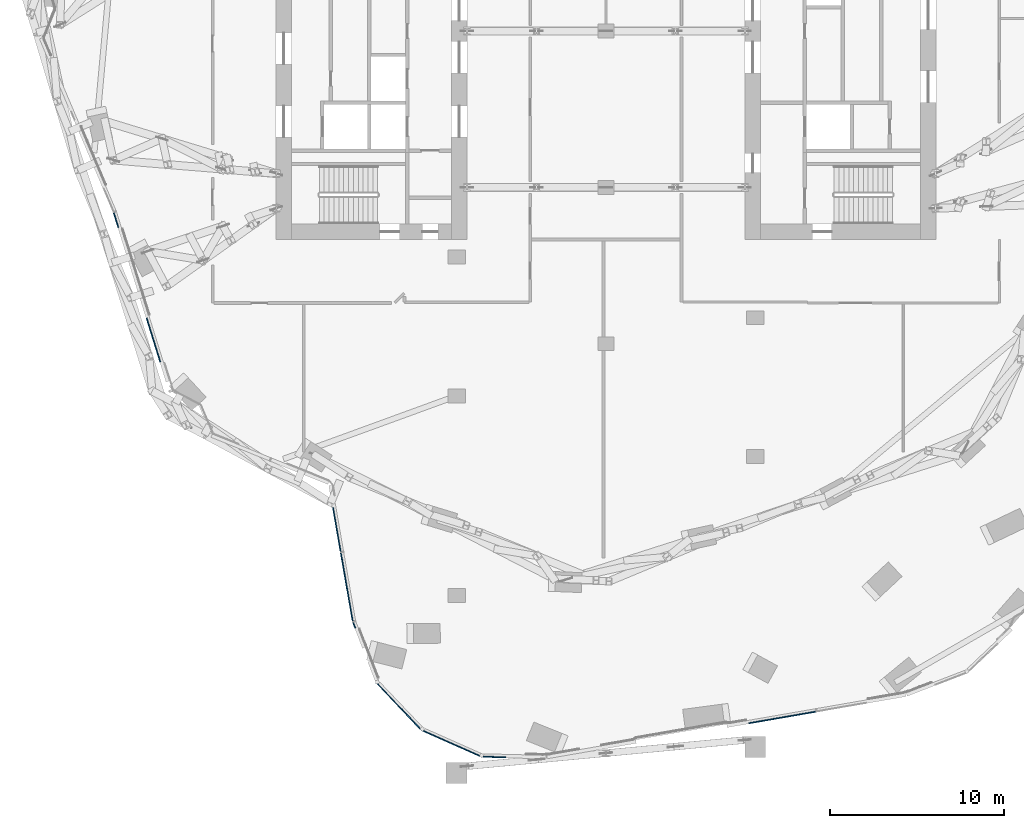
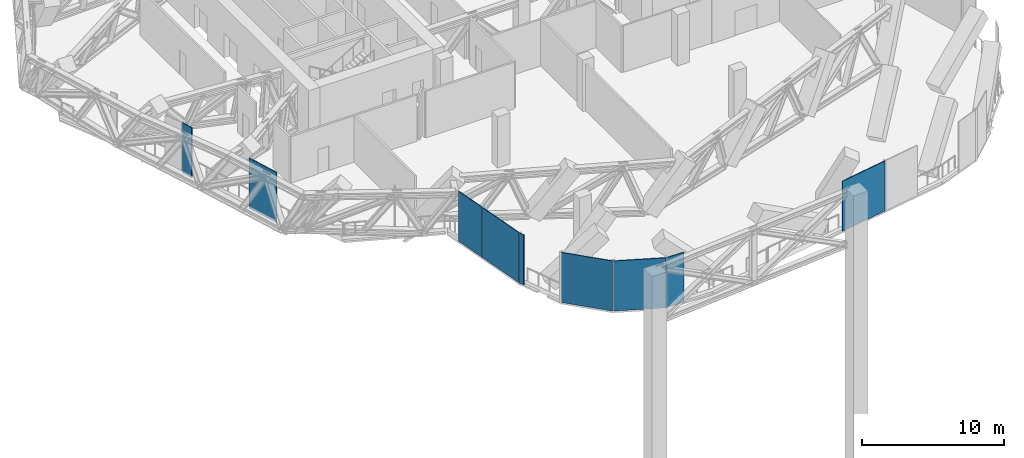
# One storey, part 17 of 31: 9 plates, 7 elements without a shape of their own.
"""IFC4 building model written with IfcOpenShell, lengths in metres."""

from ifc_helpers import new_model, si_unit, direction, frame, origin, origin_2d, place, context, subcontext, project, spatial, rectangle, extrude, material, layer, layer_set, type_object, element, aggregate, save


model = new_model("IFC4")

# Units and contexts
model_context = context("Model", 3, precision=1e-05, world=origin(), true_north=direction((0.0, 1.0)))
body_context = subcontext(model_context, "Body", "Model", "MODEL_VIEW")
ifc_project = project(units=[si_unit("LENGTHUNIT", "METRE"), si_unit("AREAUNIT", "SQUARE_METRE"), si_unit("VOLUMEUNIT", "CUBIC_METRE"), si_unit("PLANEANGLEUNIT", "RADIAN"), si_unit("MASSUNIT", "GRAM", prefix="KILO")], contexts=[model_context])

# Site, building, storey
site_placement = place(None, origin())
site = spatial("IfcSite", under=ifc_project, at=site_placement, CompositionType="ELEMENT")
building_placement = place(site_placement, origin())
building = spatial("IfcBuilding", under=site, at=building_placement, Name="Orlundy Tower", CompositionType="ELEMENT")
storey_placement = place(building_placement, frame((0.0, 0.0, 271.0)))
storey = spatial("IfcBuildingStorey", under=building, at=storey_placement, Name="L72", CompositionType="ELEMENT", Elevation=271.0)

# Curtain wall, plates
ifc_material_1 = material(Name="Aluminium bronze anodised", Category="aluminium")
curtain_wall_type = type_object("IfcCurtainWallType", Name="CW4 wall", PredefinedType="NOTDEFINED", material=ifc_material_1)
curtain_wall_1_placement = place(storey_placement, origin())
curtain_wall_1 = element("IfcCurtainWall", 1, at=curtain_wall_1_placement, inside=storey, type_object=curtain_wall_type, Name="CW4 run 03", PredefinedType="NOTDEFINED")
ifc_material_2 = material(Name="Louvre aluminium bronze anodised", Category="aluminium")
ifc_layer = layer(ifc_material_2, 0.06005859375)
ifc_layer_set = layer_set([ifc_layer], Name="CW4 louvre panel 60")
plate_type = type_object("IfcPlateType", Name="CW4 louvre panel 60", PredefinedType="CURTAIN_PANEL", material=ifc_layer_set)
plate_1_placement = place(storey_placement, frame((-26.0546875, -17.783203125, -0.2998046875), z_axis=(0.0, 0.0, 1.0), x_axis=(-0.297983431644, 0.954571042126, 0.0)))
plate_1 = element("IfcPlate", 2, at=plate_1_placement, type_object=plate_type, Name="CW4 louvre", PredefinedType="CURTAIN_PANEL", context=body_context, shape_type="SweptSolid", body=[
    extrude(rectangle(XDim=2.64599609375, YDim=0.06005859375, at=origin_2d()), origin(), (0.0, 0.0, 1.0), 4.300048828125),
])
plate_2_placement = place(storey_placement, frame((-28.21044921875, -10.877685546875, -0.2998046875), z_axis=(0.0, 0.0, 1.0), x_axis=(-0.297983431644, 0.954571042126, 0.0)))
plate_2 = element("IfcPlate", 3, at=plate_2_placement, type_object=plate_type, Name="CW4 louvre", PredefinedType="CURTAIN_PANEL", context=body_context, shape_type="SweptSolid", body=[
    extrude(rectangle(XDim=0.90185546875, YDim=0.06005859375, at=origin_2d()), origin(), (0.0, 0.0, 1.0), 4.300048828125),
])
aggregate(curtain_wall_1, [plate_1, plate_2])

# Curtain wall, plate
curtain_wall_2_placement = place(storey_placement, origin())
curtain_wall_2 = element("IfcCurtainWall", 4, at=curtain_wall_2_placement, inside=storey, type_object=curtain_wall_type, Name="CW4 run 040", PredefinedType="NOTDEFINED")
plate_3_placement = place(storey_placement, frame((10.16259765625, -39.514892578125, -0.2998046875), z_axis=(0.0, 0.0, 1.0), x_axis=(-0.985311546096, -0.170766381732, 0.0)))
plate_3 = element("IfcPlate", 5, at=plate_3_placement, type_object=plate_type, Name="CW4 louvre", PredefinedType="CURTAIN_PANEL", context=body_context, shape_type="SweptSolid", body=[
    extrude(rectangle(XDim=3.909912109375, YDim=0.06005859375, at=origin_2d()), origin(), (0.0, 0.0, 1.0), 4.300048828125),
])
aggregate(curtain_wall_2, [plate_3])

curtain_wall_3_placement = place(storey_placement, origin())
curtain_wall_3 = element("IfcCurtainWall", 6, at=curtain_wall_3_placement, inside=storey, type_object=curtain_wall_type, Name="CW4 run 041", PredefinedType="NOTDEFINED")
plate_4_placement = place(storey_placement, frame((-6.46435546875, -41.79345703125, -0.2998046875), z_axis=(0.0, 0.0, 1.0), x_axis=(-0.999698667743, 0.024547376896, 0.0)))
plate_4 = element("IfcPlate", 7, at=plate_4_placement, type_object=plate_type, Name="CW4 louvre", PredefinedType="CURTAIN_PANEL", context=body_context, shape_type="SweptSolid", body=[
    extrude(rectangle(XDim=1.417724609375, YDim=0.06005859375, at=origin_2d()), origin(), (0.0, 0.0, 1.0), 4.300048828125),
])
aggregate(curtain_wall_3, [plate_4])

curtain_wall_4_placement = place(storey_placement, origin())
curtain_wall_4 = element("IfcCurtainWall", 8, at=curtain_wall_4_placement, inside=storey, type_object=curtain_wall_type, Name="CW4 run 042", PredefinedType="NOTDEFINED")
plate_5_placement = place(storey_placement, frame((-8.89794921875, -41.010986328125, -0.2998046875), z_axis=(0.0, 0.0, 1.0), x_axis=(-0.914089480805, 0.405512541213, 0.0)))
plate_5 = element("IfcPlate", 9, at=plate_5_placement, type_object=plate_type, Name="CW4 louvre", PredefinedType="CURTAIN_PANEL", context=body_context, shape_type="SweptSolid", body=[
    extrude(rectangle(XDim=3.774169921875, YDim=0.06005859375, at=origin_2d()), origin(), (0.0, 0.0, 1.0), 4.300048828125),
])
aggregate(curtain_wall_4, [plate_5])

curtain_wall_5_placement = place(storey_placement, origin())
curtain_wall_5 = element("IfcCurtainWall", 10, at=curtain_wall_5_placement, inside=storey, type_object=curtain_wall_type, Name="CW4 run 043", PredefinedType="NOTDEFINED")
plate_6_placement = place(storey_placement, frame((-11.924072265625, -38.878662109375, -0.2998046875), z_axis=(0.0, 0.0, 1.0), x_axis=(-0.689493494749, 0.724291875351, 0.0)))
plate_6 = element("IfcPlate", 11, at=plate_6_placement, type_object=plate_type, Name="CW4 louvre", PredefinedType="CURTAIN_PANEL", context=body_context, shape_type="SweptSolid", body=[
    extrude(rectangle(XDim=3.774658203125, YDim=0.06005859375, at=origin_2d()), origin(), (0.0, 0.0, 1.0), 4.300048828125),
])
aggregate(curtain_wall_5, [plate_6])

curtain_wall_6_placement = place(storey_placement, origin())
curtain_wall_6 = element("IfcCurtainWall", 12, at=curtain_wall_6_placement, inside=storey, type_object=curtain_wall_type, Name="CW4 run 044", PredefinedType="NOTDEFINED")
plate_7_placement = place(storey_placement, frame((-14.501220703125, -34.201416015625, -0.2998046875), z_axis=(0.0, 0.0, 1.0), x_axis=(-0.359593615358, 0.933109013885, 0.0)))
plate_7 = element("IfcPlate", 13, at=plate_7_placement, type_object=plate_type, Name="CW4 louvre", PredefinedType="CURTAIN_PANEL", context=body_context, shape_type="SweptSolid", body=[
    extrude(rectangle(XDim=0.359619140625, YDim=0.06005859375, at=origin_2d()), origin(), (0.0, 0.0, 1.0), 4.300048828125),
])
aggregate(curtain_wall_6, [plate_7])

# Curtain wall, plates
curtain_wall_7_placement = place(storey_placement, origin())
curtain_wall_7 = element("IfcCurtainWall", 14, at=curtain_wall_7_placement, inside=storey, type_object=curtain_wall_type, Name="CW4 run 045", PredefinedType="NOTDEFINED")
plate_8_placement = place(storey_placement, frame((-14.924072265625, -32.000732421875, -0.2998046875), z_axis=(0.0, 0.0, 1.0), x_axis=(-0.170757975952, 0.985313002882, 0.0)))
plate_8 = element("IfcPlate", 15, at=plate_8_placement, type_object=plate_type, Name="CW4 louvre", PredefinedType="CURTAIN_PANEL", context=body_context, shape_type="SweptSolid", body=[
    extrude(rectangle(XDim=4.009033203125, YDim=0.06005859375, at=origin_2d()), origin(), (0.0, 0.0, 1.0), 4.300048828125),
])
plate_9_placement = place(storey_placement, frame((-15.49560546875, -28.703125, -0.2998046875), z_axis=(0.0, 0.0, 1.0), x_axis=(-0.170757975952, 0.985313002882, 0.0)))
plate_9 = element("IfcPlate", 16, at=plate_9_placement, type_object=plate_type, Name="CW4 louvre", PredefinedType="CURTAIN_PANEL", context=body_context, shape_type="SweptSolid", body=[
    extrude(rectangle(XDim=2.564208984375, YDim=0.06005859375, at=origin_2d()), origin(), (0.0, 0.0, 1.0), 4.300048828125),
])
aggregate(curtain_wall_7, [plate_8, plate_9])

save(model, "model.ifc")
